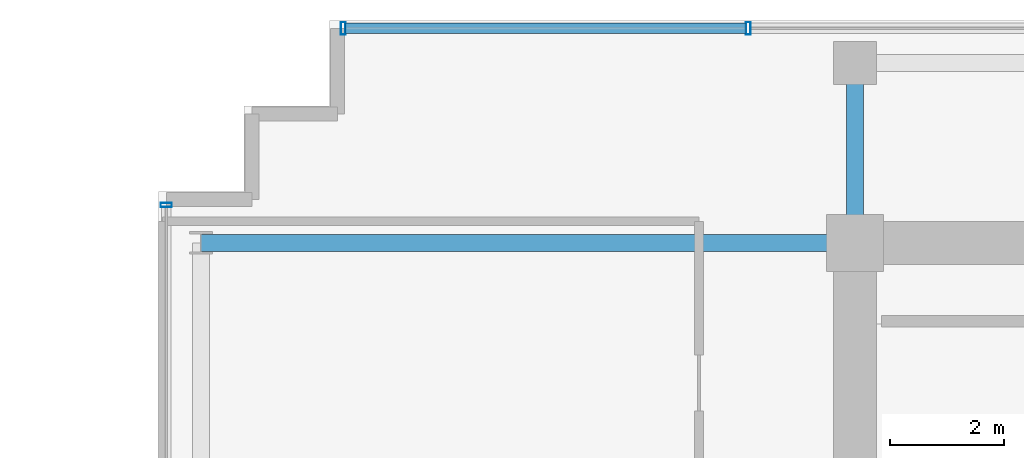
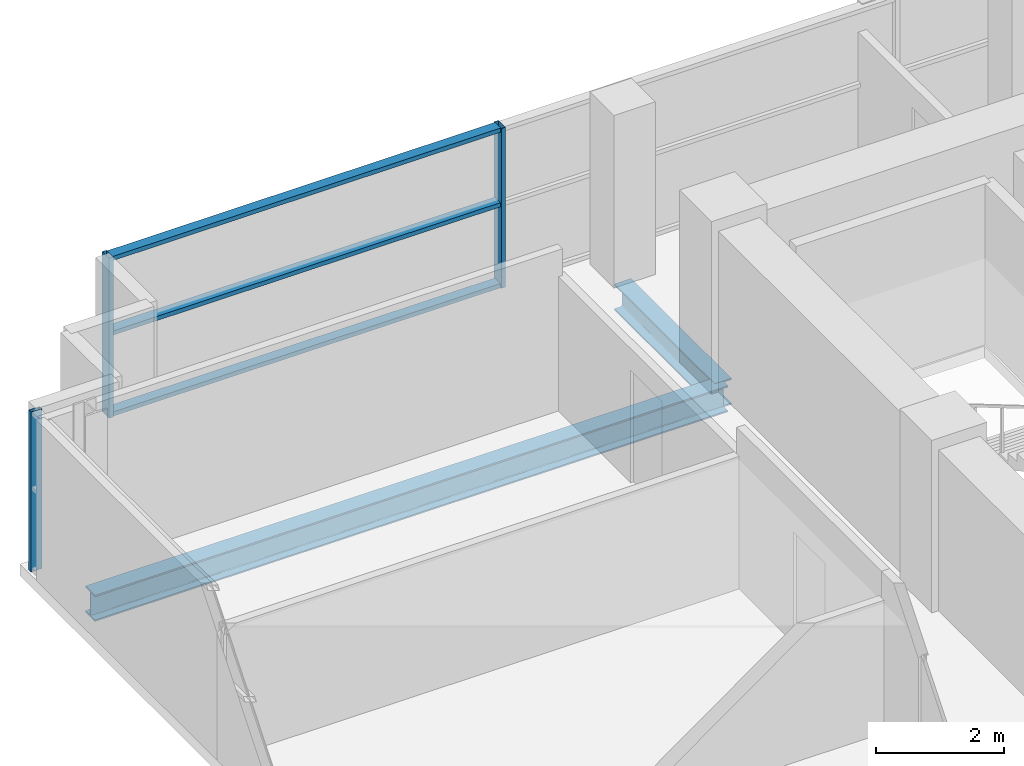
# One storey, part 9 of 21: 6 members, 2 beams, 2 elements without a shape of their own.
"""IFC4 building model written with IfcOpenShell, lengths in metres."""

from ifc_helpers import new_model, si_unit, direction, frame, origin, origin_2d, place, context, subcontext, project, spatial, hollow_rectangle, i_section, extrude, source, transform, mapped, material, layer, layer_set, material_profile, profile_set, type_object, element, aggregate, save


model = new_model("IFC4")

# Units and contexts
model_context = context("Model", 3, precision=1e-05, world=origin(), true_north=direction((0.0, 1.0)))
body_context = subcontext(model_context, "Body", "Model", "MODEL_VIEW")
ifc_project = project(units=[si_unit("LENGTHUNIT", "METRE"), si_unit("AREAUNIT", "SQUARE_METRE"), si_unit("VOLUMEUNIT", "CUBIC_METRE"), si_unit("PLANEANGLEUNIT", "RADIAN"), si_unit("MASSUNIT", "GRAM", prefix="KILO")], contexts=[model_context])

# Site, building, storey
site_placement = place(None, origin())
site = spatial("IfcSite", under=ifc_project, at=site_placement, CompositionType="ELEMENT")
building_placement = place(site_placement, origin())
building = spatial("IfcBuilding", under=site, at=building_placement, Name="Zarnakvel Exchange Tower", CompositionType="ELEMENT")
storey_placement = place(building_placement, frame((0.0, 0.0, 159.39990234375)))
storey = spatial("IfcBuildingStorey", under=building, at=storey_placement, Name="L44", CompositionType="ELEMENT", Elevation=159.39990234375)

# Beams
ifc_material_1 = material(Name="Steel S355", Category="steel")
ifc_material_profile_1 = material_profile(ifc_material_1, i_section(OverallWidth=0.300048828125, OverallDepth=0.5, WebThickness=0.014404296875, FlangeThickness=0.028076171875, FilletRadius=0.027099609375, at=origin_2d()))
ifc_profile_set_1 = profile_set([ifc_material_profile_1], Name="Steel S355")
beam_type = type_object("IfcBeamType", Name="G-06", PredefinedType="BEAM", material=ifc_profile_set_1)
beam_1_placement = place(storey_placement, frame((-25.85009765625, 13.5, -0.474853515625), z_axis=(1.0, 0.0, 0.0), x_axis=(0.0, 1.0, 0.0)))
element("IfcBeam", 1, at=beam_1_placement, inside=storey, type_object=beam_type, Name="L44 Tower E-W Frame Beam", PredefinedType="BEAM", context=body_context, shape_type="SweptSolid", body=[
    extrude(i_section(OverallWidth=0.300048828125, OverallDepth=0.5, WebThickness=0.014404296875, FlangeThickness=0.028076171875, FilletRadius=0.027099609375, at=origin_2d()), origin(), (0.0, 0.0, 1.0), 11.4501953125),
])
beam_2_placement = place(storey_placement, frame((-14.39990234375, 13.5, -0.474853515625), z_axis=(0.0, 1.0, 0.0), x_axis=(-1.0, 0.0, 0.0)))
element("IfcBeam", 2, at=beam_2_placement, inside=storey, type_object=beam_type, Name="L44 Tower N-S Frame Beam", PredefinedType="BEAM", context=body_context, shape_type="SweptSolid", body=[
    extrude(i_section(OverallWidth=0.300048828125, OverallDepth=0.5, WebThickness=0.014404296875, FlangeThickness=0.028076171875, FilletRadius=0.027099609375, at=origin_2d()), origin(), (0.0, 0.0, 1.0), 3.14990234375),
])

# Curtain wall, member
ifc_material_2 = material(Name="Architectural Bronze Anodised Aluminium", Category="aluminium")
ifc_layer_1 = layer(ifc_material_2, 0.199951171875)
ifc_layer_set_1 = layer_set([ifc_layer_1], Name="Architectural Bronze Anodised Aluminium")
curtain_wall_type_1 = type_object("IfcCurtainWallType", Name="CW-04", PredefinedType="NOTDEFINED", material=ifc_layer_set_1)
curtain_wall_1_placement = place(storey_placement, origin())
curtain_wall_1 = element("IfcCurtainWall", 3, at=curtain_wall_1_placement, inside=storey, type_object=curtain_wall_type_1, Name="L44 Curtain Wall CW-L44-WN (CW-04)", PredefinedType="NOTDEFINED")
ifc_material_profile_2 = material_profile(ifc_material_2, hollow_rectangle(XDim=0.199951171875, YDim=0.074951171875, WallThickness=0.0048828125, at=origin_2d()))
ifc_profile_set_2 = profile_set([ifc_material_profile_2], Name="Architectural Bronze Anodised Aluminium")
member_type_1 = type_object("IfcMemberType", Name="CWM-04", PredefinedType="MULLION", material=ifc_profile_set_2)
shared_shape_1 = source(origin(), body_context, "Body", "SweptSolid", [
    extrude(hollow_rectangle(XDim=0.199951171875, YDim=0.074951171875, WallThickness=0.0048828125, at=origin_2d()), origin(), (0.0, 0.0, 1.0), 3.05517578125),
])
member_1_placement = place(storey_placement, frame((-26.4599609375, 14.16259765625, 0.0), z_axis=(0.0, 0.0, 1.0), x_axis=(-1.0, 0.0, 0.0)))
member_1 = element("IfcMember", 4, at=member_1_placement, type_object=member_type_1, Name="CW-04 mullion 3", PredefinedType="MULLION", context=body_context, shape_type="MappedRepresentation", body=[
    mapped(shared_shape_1, transform((0.0, 0.0, 0.0), x_axis=(1.0, 0.0, 0.0), y_axis=(0.0, 1.0, 0.0), z_axis=(0.0, 0.0, 1.0), scale=1.0)),
])
aggregate(curtain_wall_1, [member_1])

# Curtain wall, members
ifc_layer_2 = layer(ifc_material_2, 0.219970703125)
ifc_layer_set_2 = layer_set([ifc_layer_2], Name="Architectural Bronze Anodised Aluminium")
curtain_wall_type_2 = type_object("IfcCurtainWallType", Name="CW-03", PredefinedType="NOTDEFINED", material=ifc_layer_set_2)
curtain_wall_2_placement = place(storey_placement, origin())
curtain_wall_2 = element("IfcCurtainWall", 5, at=curtain_wall_2_placement, inside=storey, type_object=curtain_wall_type_2, Name="L44 Curtain Wall CW-L44-N1 (CW-03)", PredefinedType="NOTDEFINED")
ifc_material_profile_3 = material_profile(ifc_material_2, hollow_rectangle(XDim=0.179931640625, YDim=0.080078125, WallThickness=0.00390625, at=origin_2d()))
ifc_profile_set_3 = profile_set([ifc_material_profile_3], Name="Architectural Bronze Anodised Aluminium")
member_type_2 = type_object("IfcMemberType", Name="CWT-03", PredefinedType="USERDEFINED", material=ifc_profile_set_3)
shared_shape_2 = source(origin(), body_context, "Body", "SweptSolid", [
    extrude(hollow_rectangle(XDim=0.179931640625, YDim=0.080078125, WallThickness=0.00390625, at=origin_2d()), origin(), (0.0, 0.0, 1.0), 7.013427734375),
])
member_2_placement = place(storey_placement, frame((-23.320068359375, 17.260009765625, 0.0400390625), z_axis=(1.0, 0.0, 0.0), x_axis=(0.0, 1.0, 0.0)))
member_2 = element("IfcMember", 6, at=member_2_placement, type_object=member_type_2, Name="CW-03 transom 1.1", ObjectType="TRANSOM", PredefinedType="USERDEFINED", context=body_context, shape_type="MappedRepresentation", body=[
    mapped(shared_shape_2, transform((0.0, 0.0, 0.0), x_axis=(1.0, 0.0, 0.0), y_axis=(0.0, 1.0, 0.0), z_axis=(0.0, 0.0, 1.0), scale=1.0)),
])
member_3_placement = place(storey_placement, frame((-23.320068359375, 17.260009765625, 1.588623046875), z_axis=(1.0, 0.0, 0.0), x_axis=(0.0, 1.0, 0.0)))
member_3 = element("IfcMember", 7, at=member_3_placement, type_object=member_type_2, Name="CW-03 transom 1.2", ObjectType="TRANSOM", PredefinedType="USERDEFINED", context=body_context, shape_type="MappedRepresentation", body=[
    mapped(shared_shape_2, transform((0.0, 0.0, 0.0), x_axis=(1.0, 0.0, 0.0), y_axis=(0.0, 1.0, 0.0), z_axis=(0.0, 0.0, 1.0), scale=1.0)),
])
member_4_placement = place(storey_placement, frame((-23.320068359375, 17.260009765625, 3.01513671875), z_axis=(1.0, 0.0, 0.0), x_axis=(0.0, 1.0, 0.0)))
member_4 = element("IfcMember", 8, at=member_4_placement, type_object=member_type_2, Name="CW-03 transom 1.3", ObjectType="TRANSOM", PredefinedType="USERDEFINED", context=body_context, shape_type="MappedRepresentation", body=[
    mapped(shared_shape_2, transform((0.0, 0.0, 0.0), x_axis=(1.0, 0.0, 0.0), y_axis=(0.0, 1.0, 0.0), z_axis=(0.0, 0.0, 1.0), scale=1.0)),
])
ifc_material_profile_4 = material_profile(ifc_material_2, hollow_rectangle(XDim=0.219970703125, YDim=0.080078125, WallThickness=0.0048828125, at=origin_2d()))
ifc_profile_set_4 = profile_set([ifc_material_profile_4], Name="Architectural Bronze Anodised Aluminium")
member_type_3 = type_object("IfcMemberType", Name="CWM-03", PredefinedType="MULLION", material=ifc_profile_set_4)
shared_shape_3 = source(origin(), body_context, "Body", "SweptSolid", [
    extrude(hollow_rectangle(XDim=0.219970703125, YDim=0.080078125, WallThickness=0.0048828125, at=origin_2d()), origin(), (0.0, 0.0, 1.0), 3.05517578125),
])
member_5_placement = place(storey_placement, frame((-23.360107421875, 17.260009765625, 0.0), z_axis=(0.0, 0.0, 1.0), x_axis=(0.0, 1.0, 0.0)))
member_5 = element("IfcMember", 9, at=member_5_placement, type_object=member_type_3, Name="CW-03 mullion 1", PredefinedType="MULLION", context=body_context, shape_type="MappedRepresentation", body=[
    mapped(shared_shape_3, transform((0.0, 0.0, 0.0), x_axis=(1.0, 0.0, 0.0), y_axis=(0.0, 1.0, 0.0), z_axis=(0.0, 0.0, 1.0), scale=1.0)),
])
member_6_placement = place(storey_placement, frame((-16.2666015625, 17.260009765625, 0.0), z_axis=(0.0, 0.0, 1.0), x_axis=(0.0, 1.0, 0.0)))
member_6 = element("IfcMember", 10, at=member_6_placement, type_object=member_type_3, Name="CW-03 mullion 2", PredefinedType="MULLION", context=body_context, shape_type="MappedRepresentation", body=[
    mapped(shared_shape_3, transform((0.0, 0.0, 0.0), x_axis=(1.0, 0.0, 0.0), y_axis=(0.0, 1.0, 0.0), z_axis=(0.0, 0.0, 1.0), scale=1.0)),
])
aggregate(curtain_wall_2, [member_5, member_6, member_2, member_3, member_4])

save(model, "model.ifc")
